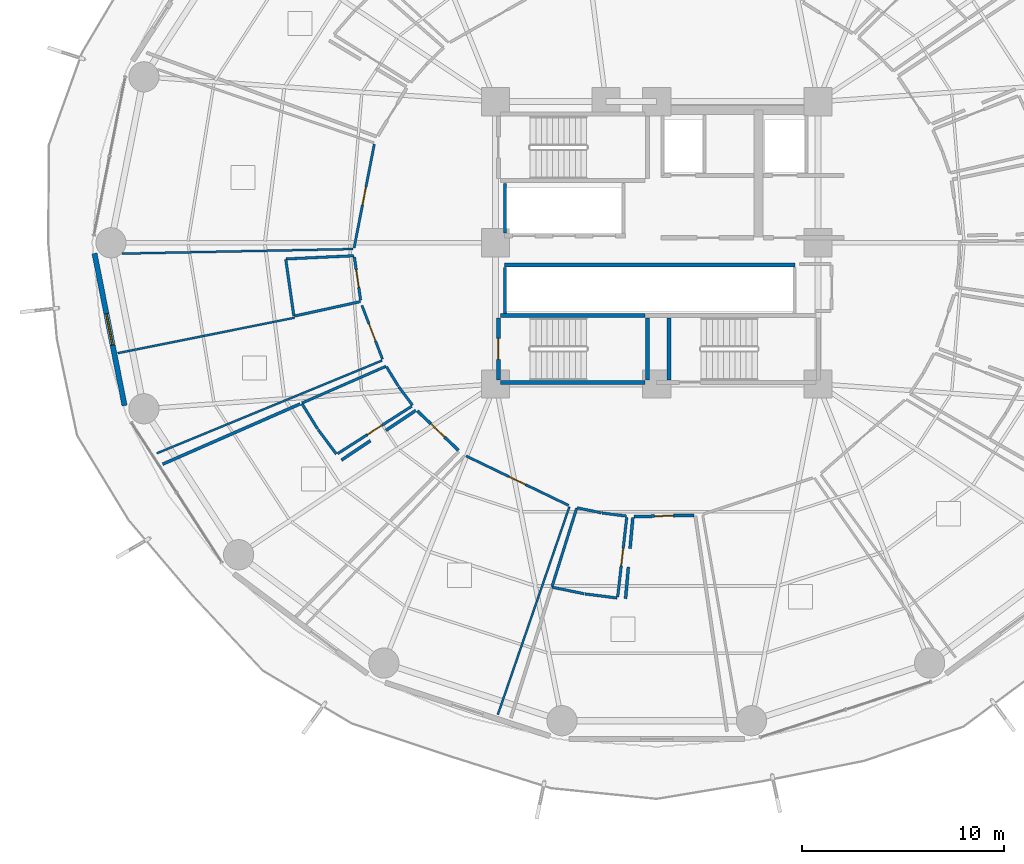
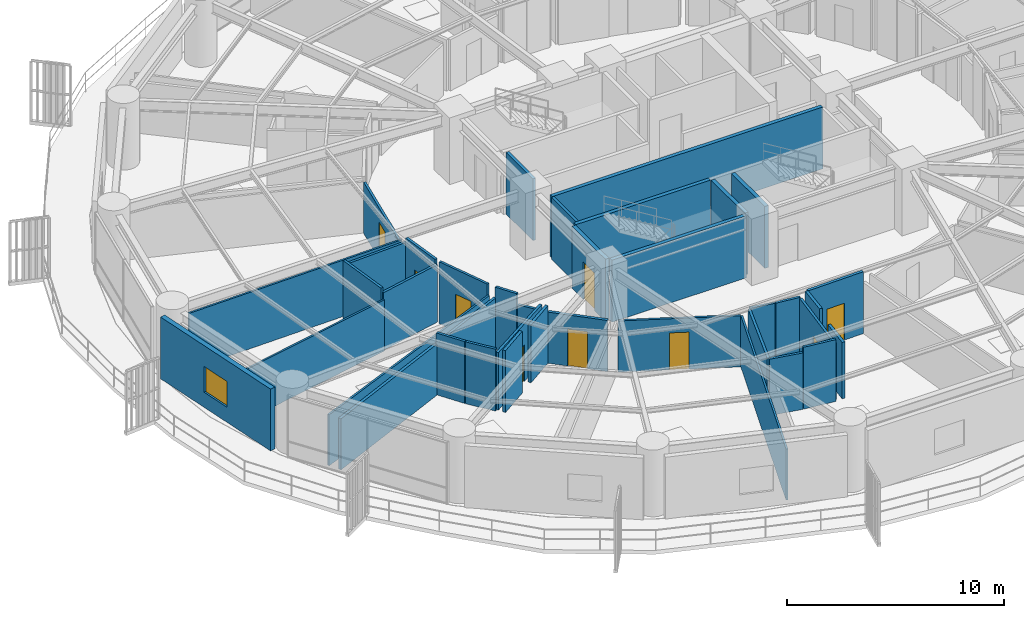
# One storey, part 23 of 33: 39 walls, 9 doors, 1 window, 10 openings.
"""IFC4 building model written with IfcOpenShell, lengths in metres."""

from ifc_helpers import new_model, si_unit, direction, frame, frame_2d, origin, place, context, subcontext, project, spatial, rectangle, extrude, material, layer, layer_set, type_object, element, fill, save


model = new_model("IFC4")

# Units and contexts
model_context = context("Model", 3, precision=1e-05, world=origin(), true_north=direction((0.0, 1.0)))
body_context = subcontext(model_context, "Body", "Model", "MODEL_VIEW")
ifc_project = project(units=[si_unit("LENGTHUNIT", "METRE"), si_unit("AREAUNIT", "SQUARE_METRE"), si_unit("VOLUMEUNIT", "CUBIC_METRE"), si_unit("PLANEANGLEUNIT", "RADIAN"), si_unit("MASSUNIT", "GRAM", prefix="KILO")], contexts=[model_context])

# Site, building, storey
site_placement = place(None, origin())
site = spatial("IfcSite", under=ifc_project, at=site_placement, CompositionType="ELEMENT")
building_placement = place(site_placement, origin())
building = spatial("IfcBuilding", under=site, at=building_placement, Name="Kelanora Arch Commons", CompositionType="ELEMENT")
storey_placement = place(building_placement, frame((0.0, 0.0, 41.25)))
storey = spatial("IfcBuildingStorey", under=building, at=storey_placement, Name="L10", CompositionType="ELEMENT", Elevation=41.25)

# Walls
ifc_material_1 = material(Name="Autoclaved aerated concrete blockwork with fire plaster", Category="masonry")
ifc_layer_1 = layer(ifc_material_1, 0.14990234375)
ifc_layer_set_1 = layer_set([ifc_layer_1], Name="Autoclaved aerated concrete blockwork with fire plaster")
wall_type_1 = type_object("IfcWallType", Name="W-COMP-150", PredefinedType="PARTITIONING", material=ifc_layer_set_1)
wall_1_placement = place(storey_placement, frame((66.4599609375, 58.47998046875, 0.0), z_axis=(0.0, 0.0, 1.0), x_axis=(0.0, 1.0, 0.0)))
element("IfcWall", 1, at=wall_1_placement, inside=storey, type_object=wall_type_1, Name="Low-Rise Lift Bank West Wall L10", PredefinedType="PARTITIONING", context=body_context, shape_type="SweptSolid", body=[
    extrude(rectangle(XDim=2.4599609375, YDim=0.14990234375, at=frame_2d((1.22998046875, 0.0))), origin(), (0.0, 0.0, 1.0), 3.47998046875),
])
wall_2_placement = place(storey_placement, frame((66.4599609375, 54.47998046875, 0.0), z_axis=(0.0, 0.0, 1.0), x_axis=(0.0, 1.0, 0.0)))
element("IfcWall", 2, at=wall_2_placement, inside=storey, type_object=wall_type_1, Name="South Lift Bank West Wall L10", PredefinedType="PARTITIONING", context=body_context, shape_type="SweptSolid", body=[
    extrude(rectangle(XDim=2.2900390625, YDim=0.14990234375, at=frame_2d((1.14501953125, 0.0))), origin(), (0.0, 0.0, 1.0), 3.47998046875),
])

# Wall, opening, door
wall_3_placement = place(storey_placement, frame((62.118408203125, 49.66259765625, 0.0), z_axis=(0.0, 0.0, 1.0), x_axis=(0.721698326825, -0.692207718144, 0.0)))
wall_3 = element("IfcWall", 3, at=wall_3_placement, inside=storey, type_object=wall_type_1, Name="Co-Living Studio L10-09 Entry Partition", PredefinedType="PARTITIONING", context=body_context, shape_type="SweptSolid", body=[
    extrude(rectangle(XDim=2.822998046875, YDim=0.14990234375, at=frame_2d((1.41162109375, 0.0))), origin(), (0.0, 0.0, 1.0), 2.875),
])
opening_1_placement = place(wall_3_placement, frame((0.93603515625, 0.0, 0.0)))
opening_1 = element("IfcOpeningElement", 4, at=opening_1_placement, cuts=wall_3, Name="Opening D-CLU1", PredefinedType="OPENING", context=body_context, shape_type="SweptSolid", body=[
    extrude(rectangle(XDim=0.949951171875, YDim=2.080078125, at=frame_2d((0.47509765625, 1.0400390625))), frame((0.0, 0.0849609375, 0.0), z_axis=(0.0, -1.0, 0.0), x_axis=(1.0, 0.0, 0.0)), (0.0, 0.0, 1.0), 0.169921875),
])
ifc_material_2 = material(Name="Solid-core acoustic timber cluster entry fire door", Category="wood")
door_type_1 = type_object("IfcDoorType", Name="D-CLU-95", OperationType="NOTDEFINED", PredefinedType="DOOR", material=ifc_material_2)
door_1_placement = place(opening_1_placement, origin())
door_1 = element("IfcDoor", 5, at=door_1_placement, inside=storey, type_object=door_type_1, Name="Co-Living Studio L10-09 Door", OperationType="SINGLE_SWING_LEFT", OverallHeight=2.080078125, OverallWidth=0.949951171875, PredefinedType="DOOR", context=body_context, shape_type="SweptSolid", body=[
    extrude(rectangle(XDim=0.949951171875, YDim=2.080078125, at=frame_2d((0.47509765625, 1.0400390625))), frame((0.0, 0.02490234375, 0.0), z_axis=(0.0, -1.0, 0.0), x_axis=(1.0, 0.0, 0.0)), (0.0, 0.0, 1.0), 0.050048828125),
])
fill(opening_1, door_1)

wall_4_placement = place(storey_placement, frame((72.87890625, 44.413330078125, 0.0), z_axis=(0.0, 0.0, 1.0), x_axis=(0.999757617916, 0.022016026426, 0.0)))
wall_4 = element("IfcWall", 6, at=wall_4_placement, inside=storey, type_object=wall_type_1, Name="Co-Living Studio L10-11 Entry Partition", PredefinedType="PARTITIONING", context=body_context, shape_type="SweptSolid", body=[
    extrude(rectangle(XDim=2.971923828125, YDim=0.14990234375, at=frame_2d((1.48583984375, 0.0))), origin(), (0.0, 0.0, 1.0), 3.47998046875),
])
opening_2_placement = place(wall_4_placement, frame((1.010986328125, 0.0, 0.0)))
opening_2 = element("IfcOpeningElement", 7, at=opening_2_placement, cuts=wall_4, Name="Opening D-CLU1", PredefinedType="OPENING", context=body_context, shape_type="SweptSolid", body=[
    extrude(rectangle(XDim=0.949951171875, YDim=2.080078125, at=frame_2d((0.47509765625, 1.0400390625))), frame((0.0, 0.0849609375, 0.0), z_axis=(0.0, -1.0, 0.0), x_axis=(1.0, 0.0, 0.0)), (0.0, 0.0, 1.0), 0.169921875),
])
door_2_placement = place(opening_2_placement, origin())
door_2 = element("IfcDoor", 8, at=door_2_placement, inside=storey, type_object=door_type_1, Name="Co-Living Studio L10-11 Door", OperationType="SINGLE_SWING_RIGHT", OverallHeight=2.080078125, OverallWidth=0.949951171875, PredefinedType="DOOR", context=body_context, shape_type="SweptSolid", body=[
    extrude(rectangle(XDim=0.949951171875, YDim=2.080078125, at=frame_2d((0.47509765625, 1.0400390625))), frame((0.0, 0.02490234375, 0.0), z_axis=(0.0, -1.0, 0.0), x_axis=(1.0, 0.0, 0.0)), (0.0, 0.0, 1.0), 0.050048828125),
])
fill(opening_2, door_2)

# Walls
wall_5_placement = place(storey_placement, frame((49.486572265625, 47.01708984375, 0.0), z_axis=(0.0, 0.0, 1.0), x_axis=(0.915920983282, 0.401358633124, 0.0)))
element("IfcWall", 9, at=wall_5_placement, inside=storey, type_object=wall_type_1, Name="Co-Living Studio L10-09 Enclosure Partition 5", PredefinedType="PARTITIONING", context=body_context, shape_type="SweptSolid", body=[
    extrude(rectangle(XDim=7.448974609375, YDim=0.14990234375, at=frame_2d((3.724609375, 0.0))), origin(), (0.0, 0.0, 1.0), 2.875),
])
wall_6_placement = place(storey_placement, frame((58.354248046875, 47.21630859375, 0.0), z_axis=(0.0, 0.0, 1.0), x_axis=(0.831292382958, 0.555835383937, 0.0)))
element("IfcWall", 10, at=wall_6_placement, inside=storey, type_object=wall_type_1, Name="Co-Living Studio L10-09 Enclosure Partition 7", PredefinedType="PARTITIONING", context=body_context, shape_type="SweptSolid", body=[
    extrude(rectangle(XDim=1.736328125, YDim=0.14990234375, at=frame_2d((0.8681640625, 0.0))), origin(), (0.0, 0.0, 1.0), 3.47998046875),
])
wall_7_placement = place(storey_placement, frame((60.562744140625, 48.69287109375, 0.0), z_axis=(0.0, 0.0, 1.0), x_axis=(0.831268380724, 0.555871279352, 0.0)))
element("IfcWall", 11, at=wall_7_placement, inside=storey, type_object=wall_type_1, Name="Co-Living Studio L10-09 Enclosure Partition 7", PredefinedType="PARTITIONING", context=body_context, shape_type="SweptSolid", body=[
    extrude(rectangle(XDim=1.779296875, YDim=0.14990234375, at=frame_2d((0.8896484375, 0.0))), origin(), (0.0, 0.0, 1.0), 3.235107421875),
])
wall_8_placement = place(storey_placement, frame((72.45166015625, 40.341796875, 0.0), z_axis=(0.0, 0.0, 1.0), x_axis=(0.089821137984, 0.995957912349, 0.0)))
element("IfcWall", 12, at=wall_8_placement, inside=storey, type_object=wall_type_1, Name="Co-Living Studio L10-11 Enclosure Partition 7", PredefinedType="PARTITIONING", context=body_context, shape_type="SweptSolid", body=[
    extrude(rectangle(XDim=1.571044921875, YDim=0.14990234375, at=frame_2d((0.78564453125, 0.0))), origin(), (0.0, 0.0, 1.0), 3.175048828125),
])
wall_9_placement = place(storey_placement, frame((72.675537109375, 42.822998046875, 0.0), z_axis=(0.0, 0.0, 1.0), x_axis=(0.089927260711, 0.9959483359, 0.0)))
element("IfcWall", 13, at=wall_9_placement, inside=storey, type_object=wall_type_1, Name="Co-Living Studio L10-11 Enclosure Partition 7", PredefinedType="PARTITIONING", context=body_context, shape_type="SweptSolid", body=[
    extrude(rectangle(XDim=1.5556640625, YDim=0.14990234375, at=frame_2d((0.77783203125, 0.0))), origin(), (0.0, 0.0, 1.0), 3.47998046875),
])

# Wall, opening, window
ifc_material_3 = material(Name="Precast concrete C40/50 with terracotta rainscreen", Category="masonry")
ifc_layer_2 = layer(ifc_material_3, 0.260009765625)
ifc_layer_set_2 = layer_set([ifc_layer_2], Name="Precast concrete C40/50 with terracotta rainscreen")
wall_type_2 = type_object("IfcWallType", Name="W-EXT-TC", PredefinedType="SOLIDWALL", material=ifc_layer_set_2)
wall_10_placement = place(storey_placement, frame((46.103515625, 57.4765625, 0.0), z_axis=(0.0, 0.0, 1.0), x_axis=(0.193726159581, -0.98105564322, 0.0)))
wall_10 = element("IfcWall", 14, at=wall_10_placement, inside=storey, type_object=wall_type_2, Name="Terracotta Exterior Wall L10-B09", PredefinedType="SOLIDWALL", context=body_context, shape_type="SweptSolid", body=[
    extrude(rectangle(XDim=7.70263671875, YDim=0.260009765625, at=frame_2d((3.851318359375, 0.0))), origin(), (0.0, 0.0, 1.0), 3.47509765625),
])
opening_3_placement = place(wall_10_placement, frame((3.051025390625, 0.0, 0.85009765625)))
opening_3 = element("IfcOpeningElement", 15, at=opening_3_placement, cuts=wall_10, Name="Opening WN-01", PredefinedType="OPENING", context=body_context, shape_type="SweptSolid", body=[
    extrude(rectangle(XDim=1.60009765625, YDim=1.449951171875, at=frame_2d((0.800048828125, 0.72509765625))), frame((0.0, 0.14013671875, 0.0), z_axis=(0.0, -1.0, 0.0), x_axis=(1.0, 0.0, 0.0)), (0.0, 0.0, 1.0), 0.280029296875),
])
ifc_material_4 = material(Name="Terracotta-anodised aluminium frame with operable low-E glazing", Category="masonry")
window_type = type_object("IfcWindowType", Name="WIN-CL-18", PartitioningType="DOUBLE_PANEL_VERTICAL", PredefinedType="WINDOW", material=ifc_material_4)
window_placement = place(opening_3_placement, origin())
window = element("IfcWindow", 16, at=window_placement, inside=storey, type_object=window_type, Name="Co-Living Operable Window L10-B09", OverallHeight=1.449951171875, OverallWidth=1.60009765625, PartitioningType="SINGLE_PANEL", PredefinedType="WINDOW", context=body_context, shape_type="SweptSolid", body=[
    extrude(rectangle(XDim=1.60009765625, YDim=1.449951171875, at=frame_2d((0.800048828125, 0.72509765625))), frame((0.0, 0.030029296875, 0.0), z_axis=(0.0, -1.0, 0.0), x_axis=(1.0, 0.0, 0.0)), (0.0, 0.0, 1.0), 0.06005859375),
])
fill(opening_3, window)

# Walls
ifc_material_5 = material(Name="Concrete C40/50", Category="concrete")
ifc_layer_3 = layer(ifc_material_5, 0.199951171875)
ifc_layer_set_3 = layer_set([ifc_layer_3], Name="Concrete C40/50")
wall_type_3 = type_object("IfcWallType", Name="W-FFL-200", PredefinedType="SOLIDWALL", material=ifc_layer_set_3)
wall_11_placement = place(storey_placement, frame((66.449951171875, 56.89990234375, 0.0), z_axis=(0.0, 0.0, 1.0), x_axis=(1.0, 0.0, 0.0)))
element("IfcWall", 17, at=wall_11_placement, inside=storey, type_object=wall_type_3, Name="Mid/High/Express Lift Shaft Front L10", PredefinedType="SOLIDWALL", context=body_context, shape_type="SweptSolid", body=[
    extrude(rectangle(XDim=14.400146484375, YDim=0.199951171875, at=frame_2d((7.2001953125, 0.0))), origin(), (0.0, 0.0, 1.0), 3.47998046875),
])
ifc_material_6 = material(Name="Lightweight fire-rated acoustic stud partition")
ifc_layer_4 = layer(ifc_material_6, 0.10009765625)
ifc_layer_set_4 = layer_set([ifc_layer_4], Name="Lightweight fire-rated acoustic stud partition")
wall_type_4 = type_object("IfcWallType", Name="W-PART-100", PredefinedType="PARTITIONING", material=ifc_layer_set_4)
wall_12_placement = place(storey_placement, frame((58.93408203125, 57.690185546875, 0.0), z_axis=(0.0, 0.0, 1.0), x_axis=(-0.999804870307, -0.019754020094, 0.0)))
element("IfcWall", 18, at=wall_12_placement, inside=storey, type_object=wall_type_4, Name="Quiet Seminar Study Room L10-07 Enclosure Partition 2", PredefinedType="PARTITIONING", context=body_context, shape_type="SweptSolid", body=[
    extrude(rectangle(XDim=11.456787109375, YDim=0.10009765625, at=frame_2d((5.728515625, 0.0))), origin(), (0.0, 0.0, 1.0), 3.175048828125),
])
wall_13_placement = place(storey_placement, frame((60.375, 52.159912109375, 0.0), z_axis=(0.0, 0.0, 1.0), x_axis=(-0.924608681042, -0.380918346817, 0.0)))
element("IfcWall", 19, at=wall_13_placement, inside=storey, type_object=wall_type_4, Name="Tutorial Study Alcove L10-08 Enclosure Partition 2", PredefinedType="PARTITIONING", context=body_context, shape_type="SweptSolid", body=[
    extrude(rectangle(XDim=12.09375, YDim=0.10009765625, at=frame_2d((6.046875, 0.0))), origin(), (0.0, 0.0, 1.0), 2.875),
])
wall_14_placement = place(storey_placement, frame((47.257080078125, 52.52490234375, 0.0), z_axis=(0.0, 0.0, 1.0), x_axis=(0.980535537362, 0.196341691878, 0.0)))
element("IfcWall", 20, at=wall_14_placement, inside=storey, type_object=wall_type_4, Name="Tutorial Study Alcove L10-08 Enclosure Partition 4", PredefinedType="PARTITIONING", context=body_context, shape_type="SweptSolid", body=[
    extrude(rectangle(XDim=8.950439453125, YDim=0.10009765625, at=frame_2d((4.47509765625, 0.0))), origin(), (0.0, 0.0, 1.0), 2.875),
])
wall_15_placement = place(storey_placement, frame((69.66796875, 44.9072265625, 0.0), z_axis=(0.0, 0.0, 1.0), x_axis=(-0.325549997896, -0.94552482721, 0.0)))
element("IfcWall", 21, at=wall_15_placement, inside=storey, type_object=wall_type_4, Name="Social Sky Lounge L10-10 Enclosure Partition 2", PredefinedType="PARTITIONING", context=body_context, shape_type="SweptSolid", body=[
    extrude(rectangle(XDim=10.910888671875, YDim=0.10009765625, at=frame_2d((5.45556640625, 0.0))), origin(), (0.0, 0.0, 1.0), 2.875),
])

# Wall, opening, door
ifc_material_7 = material(Name="Acoustic twin-stud fire-rated gypsum partition")
ifc_layer_5 = layer(ifc_material_7, 0.1201171875)
ifc_layer_set_5 = layer_set([ifc_layer_5], Name="Acoustic twin-stud fire-rated gypsum partition")
wall_type_5 = type_object("IfcWallType", Name="W-PART-120", PredefinedType="PARTITIONING", material=ifc_layer_set_5)
wall_16_placement = place(storey_placement, frame((59.985595703125, 62.89208984375, 0.0), z_axis=(0.0, 0.0, 1.0), x_axis=(-0.190897102704, -0.981610053015, 0.0)))
wall_16 = element("IfcWall", 22, at=wall_16_placement, inside=storey, type_object=wall_type_5, Name="Quiet Seminar Study Room L10-07 Entry Partition", PredefinedType="PARTITIONING", context=body_context, shape_type="SweptSolid", body=[
    extrude(rectangle(XDim=5.238525390625, YDim=0.1201171875, at=frame_2d((2.619140625, 0.0))), origin(), (0.0, 0.0, 1.0), 2.875),
])
opening_4_placement = place(wall_16_placement, frame((2.1689453125, 0.0, 0.0)))
opening_4 = element("IfcOpeningElement", 23, at=opening_4_placement, cuts=wall_16, Name="Opening D-RM1", PredefinedType="OPENING", context=body_context, shape_type="SweptSolid", body=[
    extrude(rectangle(XDim=0.89990234375, YDim=2.080078125, at=frame_2d((0.449951171875, 1.0400390625))), frame((0.0, 0.070068359375, 0.0), z_axis=(0.0, -1.0, 0.0), x_axis=(1.0, 0.0, 0.0)), (0.0, 0.0, 1.0), 0.14013671875),
])
ifc_material_8 = material(Name="Acoustic fire-rated timber study and lounge door", Category="wood")
door_type_2 = type_object("IfcDoorType", Name="D-ROOM-90", OperationType="NOTDEFINED", PredefinedType="DOOR", material=ifc_material_8)
door_3_placement = place(opening_4_placement, origin())
door_3 = element("IfcDoor", 24, at=door_3_placement, inside=storey, type_object=door_type_2, Name="Quiet Seminar Study Room L10-07 Door", OperationType="SINGLE_SWING_LEFT", OverallHeight=2.080078125, OverallWidth=0.89990234375, PredefinedType="DOOR", context=body_context, shape_type="SweptSolid", body=[
    extrude(rectangle(XDim=0.89990234375, YDim=2.080078125, at=frame_2d((0.449951171875, 1.0400390625))), frame((0.0, 0.02490234375, 0.0), z_axis=(0.0, -1.0, 0.0), x_axis=(1.0, 0.0, 0.0)), (0.0, 0.0, 1.0), 0.050048828125),
])
fill(opening_4, door_3)

wall_17_placement = place(storey_placement, frame((59.373291015625, 54.89111328125, 0.0), z_axis=(0.0, 0.0, 1.0), x_axis=(0.357203455119, -0.934026601147, 0.0)))
wall_17 = element("IfcWall", 25, at=wall_17_placement, inside=storey, type_object=wall_type_5, Name="Tutorial Study Alcove L10-08 Entry Partition", PredefinedType="PARTITIONING", context=body_context, shape_type="SweptSolid", body=[
    extrude(rectangle(XDim=2.84814453125, YDim=0.1201171875, at=frame_2d((1.424072265625, 0.0))), origin(), (0.0, 0.0, 1.0), 3.47998046875),
])
opening_5_placement = place(wall_17_placement, frame((0.97412109375, 0.0, 0.0)))
opening_5 = element("IfcOpeningElement", 26, at=opening_5_placement, cuts=wall_17, Name="Opening D-RM1", PredefinedType="OPENING", context=body_context, shape_type="SweptSolid", body=[
    extrude(rectangle(XDim=0.89990234375, YDim=2.080078125, at=frame_2d((0.449951171875, 1.0400390625))), frame((0.0, 0.070068359375, 0.0), z_axis=(0.0, -1.0, 0.0), x_axis=(1.0, 0.0, 0.0)), (0.0, 0.0, 1.0), 0.14013671875),
])
door_4_placement = place(opening_5_placement, origin())
door_4 = element("IfcDoor", 27, at=door_4_placement, inside=storey, type_object=door_type_2, Name="Tutorial Study Alcove L10-08 Door", OperationType="SINGLE_SWING_LEFT", OverallHeight=2.080078125, OverallWidth=0.89990234375, PredefinedType="DOOR", context=body_context, shape_type="SweptSolid", body=[
    extrude(rectangle(XDim=0.89990234375, YDim=2.080078125, at=frame_2d((0.449951171875, 1.0400390625))), frame((0.0, 0.02490234375, 0.0), z_axis=(0.0, -1.0, 0.0), x_axis=(1.0, 0.0, 0.0)), (0.0, 0.0, 1.0), 0.050048828125),
])
fill(opening_5, door_4)

wall_18_placement = place(storey_placement, frame((64.533935546875, 47.427001953125, 0.0), z_axis=(0.0, 0.0, 1.0), x_axis=(0.900751487373, -0.434334845477, 0.0)))
wall_18 = element("IfcWall", 28, at=wall_18_placement, inside=storey, type_object=wall_type_5, Name="Social Sky Lounge L10-10 Entry Partition", PredefinedType="PARTITIONING", context=body_context, shape_type="SweptSolid", body=[
    extrude(rectangle(XDim=5.654296875, YDim=0.1201171875, at=frame_2d((2.8271484375, 0.0))), origin(), (0.0, 0.0, 1.0), 2.875),
])
opening_6_placement = place(wall_18_placement, frame((2.376953125, 0.0, 0.0)))
opening_6 = element("IfcOpeningElement", 29, at=opening_6_placement, cuts=wall_18, Name="Opening D-RM1", PredefinedType="OPENING", context=body_context, shape_type="SweptSolid", body=[
    extrude(rectangle(XDim=0.89990234375, YDim=2.080078125, at=frame_2d((0.449951171875, 1.0400390625))), frame((0.0, 0.070068359375, 0.0), z_axis=(0.0, -1.0, 0.0), x_axis=(1.0, 0.0, 0.0)), (0.0, 0.0, 1.0), 0.14013671875),
])
door_5_placement = place(opening_6_placement, origin())
door_5 = element("IfcDoor", 30, at=door_5_placement, inside=storey, type_object=door_type_2, Name="Social Sky Lounge L10-10 Door", OperationType="SINGLE_SWING_RIGHT", OverallHeight=2.080078125, OverallWidth=0.89990234375, PredefinedType="DOOR", context=body_context, shape_type="SweptSolid", body=[
    extrude(rectangle(XDim=0.89990234375, YDim=2.080078125, at=frame_2d((0.449951171875, 1.0400390625))), frame((0.0, 0.02490234375, 0.0), z_axis=(0.0, -1.0, 0.0), x_axis=(1.0, 0.0, 0.0)), (0.0, 0.0, 1.0), 0.050048828125),
])
fill(opening_6, door_5)

# Walls
ifc_layer_6 = layer(ifc_material_5, 0.199951171875)
ifc_layer_set_6 = layer_set([ifc_layer_6], Name="Concrete C40/50")
wall_type_6 = type_object("IfcWallType", Name="W-STAIR-200", PredefinedType="SHEAR", material=ifc_layer_set_6)
wall_19_placement = place(storey_placement, frame((74.6201171875, 54.27001953125, 0.0), z_axis=(0.0, 0.0, 1.0), x_axis=(0.0, -1.0, 0.0)))
element("IfcWall", 31, at=wall_19_placement, inside=storey, type_object=wall_type_6, Name="Stair ST-T2 Shaft Wall W L10", PredefinedType="SHEAR", context=body_context, shape_type="SweptSolid", body=[
    extrude(rectangle(XDim=3.070068359375, YDim=0.199951171875, at=frame_2d((1.53515625, 0.0))), origin(), (0.0, 0.0, 1.0), 3.489990234375),
])
wall_20_placement = place(storey_placement, frame((66.260009765625, 51.080078125, 0.0), z_axis=(0.0, 0.0, 1.0), x_axis=(1.0, 0.0, 0.0)))
element("IfcWall", 32, at=wall_20_placement, inside=storey, type_object=wall_type_6, Name="Stair ST-T3 Shaft Wall S L10", PredefinedType="SHEAR", context=body_context, shape_type="SweptSolid", body=[
    extrude(rectangle(XDim=7.159912109375, YDim=0.199951171875, at=frame_2d((3.580078125, 0.0))), origin(), (0.0, 0.0, 1.0), 3.489990234375),
])
wall_21_placement = place(storey_placement, frame((73.5400390625, 51.199951171875, 0.0), z_axis=(0.0, 0.0, 1.0), x_axis=(0.0, 1.0, 0.0)))
element("IfcWall", 33, at=wall_21_placement, inside=storey, type_object=wall_type_6, Name="Stair ST-T3 Shaft Wall E L10", PredefinedType="SHEAR", context=body_context, shape_type="SweptSolid", body=[
    extrude(rectangle(XDim=3.070068359375, YDim=0.199951171875, at=frame_2d((1.53515625, 0.0))), origin(), (0.0, 0.0, 1.0), 3.489990234375),
])
wall_22_placement = place(storey_placement, frame((73.419921875, 54.389892578125, 0.0), z_axis=(0.0, 0.0, 1.0), x_axis=(-1.0, 0.0, 0.0)))
element("IfcWall", 34, at=wall_22_placement, inside=storey, type_object=wall_type_6, Name="Stair ST-T3 Shaft Wall N L10", PredefinedType="SHEAR", context=body_context, shape_type="SweptSolid", body=[
    extrude(rectangle(XDim=7.159912109375, YDim=0.199951171875, at=frame_2d((3.580078125, 0.0))), origin(), (0.0, 0.0, 1.0), 3.489990234375),
])

# Wall, opening, door
wall_23_placement = place(storey_placement, frame((66.139892578125, 54.27001953125, 0.0), z_axis=(0.0, 0.0, 1.0), x_axis=(0.0, -1.0, 0.0)))
wall_23 = element("IfcWall", 35, at=wall_23_placement, inside=storey, type_object=wall_type_6, Name="Stair ST-T3 Shaft Wall W L10", PredefinedType="SHEAR", context=body_context, shape_type="SweptSolid", body=[
    extrude(rectangle(XDim=3.070068359375, YDim=0.199951171875, at=frame_2d((1.53515625, 0.0))), origin(), (0.0, 0.0, 1.0), 3.489990234375),
])
opening_7_placement = place(wall_23_placement, frame((1.010009765625, 0.0, 0.0)))
opening_7 = element("IfcOpeningElement", 36, at=opening_7_placement, cuts=wall_23, Name="Opening D-ST1", PredefinedType="OPENING", context=body_context, shape_type="SweptSolid", body=[
    extrude(rectangle(XDim=1.050048828125, YDim=2.10009765625, at=frame_2d((0.52490234375, 1.050048828125))), frame((0.0, 0.10986328125, 0.0), z_axis=(0.0, -1.0, 0.0), x_axis=(1.0, 0.0, 0.0)), (0.0, 0.0, 1.0), 0.219970703125),
])
ifc_material_9 = material(Name="Steel fire-rated stairwell escape door", Category="steel")
door_type_3 = type_object("IfcDoorType", Name="D-STAIR-110", OperationType="NOTDEFINED", PredefinedType="DOOR", material=ifc_material_9)
door_6_placement = place(opening_7_placement, origin())
door_6 = element("IfcDoor", 37, at=door_6_placement, inside=storey, type_object=door_type_3, Name="Stair ST-T3 Escape Door L10", OperationType="SINGLE_SWING_LEFT", OverallHeight=2.10009765625, OverallWidth=1.050048828125, PredefinedType="DOOR", context=body_context, shape_type="SweptSolid", body=[
    extrude(rectangle(XDim=1.050048828125, YDim=2.10009765625, at=frame_2d((0.52490234375, 1.050048828125))), frame((0.0, 0.02490234375, 0.0), z_axis=(0.0, -1.0, 0.0), x_axis=(1.0, 0.0, 0.0)), (0.0, 0.0, 1.0), 0.050048828125),
])
fill(opening_7, door_6)

ifc_material_10 = material(Name="Moisture-resistant fire-rated cement-board plumbing wall")
ifc_layer_7 = layer(ifc_material_10, 0.1298828125)
ifc_layer_set_7 = layer_set([ifc_layer_7], Name="Moisture-resistant fire-rated cement-board plumbing wall")
wall_type_7 = type_object("IfcWallType", Name="W-WET-120", PredefinedType="PLUMBINGWALL", material=ifc_layer_set_7)
wall_24_placement = place(storey_placement, frame((58.99560546875, 57.298583984375, 0.0), z_axis=(0.0, 0.0, 1.0), x_axis=(0.143746038715, -0.989614610014, 0.0)))
wall_24 = element("IfcWall", 38, at=wall_24_placement, inside=storey, type_object=wall_type_7, Name="Accessible Shared Floor WC L10-08 Entry Partition", PredefinedType="PLUMBINGWALL", context=body_context, shape_type="SweptSolid", body=[
    extrude(rectangle(XDim=2.17578125, YDim=0.1298828125, at=frame_2d((1.087890625, 0.0))), origin(), (0.0, 0.0, 1.0), 3.47998046875),
])
opening_8_placement = place(wall_24_placement, frame((0.657958984375, 0.0, 0.0)))
opening_8 = element("IfcOpeningElement", 39, at=opening_8_placement, cuts=wall_24, Name="Opening D-BT1", PredefinedType="OPENING", context=body_context, shape_type="SweptSolid", body=[
    extrude(rectangle(XDim=0.860107421875, YDim=2.050048828125, at=frame_2d((0.43017578125, 1.02490234375))), frame((0.0, 0.074951171875, 0.0), z_axis=(0.0, -1.0, 0.0), x_axis=(1.0, 0.0, 0.0)), (0.0, 0.0, 1.0), 0.14990234375),
])
ifc_material_11 = material(Name="Moisture-sealed fire-rated accessible bathroom door")
door_type_4 = type_object("IfcDoorType", Name="D-BATH-85", OperationType="NOTDEFINED", PredefinedType="DOOR", material=ifc_material_11)
door_7_placement = place(opening_8_placement, origin())
door_7 = element("IfcDoor", 40, at=door_7_placement, inside=storey, type_object=door_type_4, Name="Accessible Shared Floor WC L10-08 Door", OperationType="SINGLE_SWING_RIGHT", OverallHeight=2.050048828125, OverallWidth=0.860107421875, PredefinedType="DOOR", context=body_context, shape_type="SweptSolid", body=[
    extrude(rectangle(XDim=0.860107421875, YDim=2.050048828125, at=frame_2d((0.43017578125, 1.02490234375))), frame((0.0, 0.02490234375, 0.0), z_axis=(0.0, -1.0, 0.0), x_axis=(1.0, 0.0, 0.0)), (0.0, 0.0, 1.0), 0.050048828125),
])
fill(opening_8, door_7)

wall_25_placement = place(storey_placement, frame((61.843505859375, 49.8896484375, 0.0), z_axis=(0.0, 0.0, 1.0), x_axis=(-0.842235862163, -0.539109221297, 0.0)))
wall_25 = element("IfcWall", 41, at=wall_25_placement, inside=storey, type_object=wall_type_7, Name="En-Suite Shower WC L10-09 Entry Partition", PredefinedType="PLUMBINGWALL", context=body_context, shape_type="SweptSolid", body=[
    extrude(rectangle(XDim=4.366943359375, YDim=0.1298828125, at=frame_2d((2.18359375, 0.0))), origin(), (0.0, 0.0, 1.0), 3.235107421875),
])
opening_9_placement = place(wall_25_placement, frame((1.75390625, 0.0, 0.0)))
opening_9 = element("IfcOpeningElement", 42, at=opening_9_placement, cuts=wall_25, Name="Opening D-BT1", PredefinedType="OPENING", context=body_context, shape_type="SweptSolid", body=[
    extrude(rectangle(XDim=0.860107421875, YDim=2.050048828125, at=frame_2d((0.43017578125, 1.02490234375))), frame((0.0, 0.074951171875, 0.0), z_axis=(0.0, -1.0, 0.0), x_axis=(1.0, 0.0, 0.0)), (0.0, 0.0, 1.0), 0.14990234375),
])
door_8_placement = place(opening_9_placement, origin())
door_8 = element("IfcDoor", 43, at=door_8_placement, inside=storey, type_object=door_type_4, Name="En-Suite Shower WC L10-09 Door", OperationType="SINGLE_SWING_RIGHT", OverallHeight=2.050048828125, OverallWidth=0.860107421875, PredefinedType="DOOR", context=body_context, shape_type="SweptSolid", body=[
    extrude(rectangle(XDim=0.860107421875, YDim=2.050048828125, at=frame_2d((0.43017578125, 1.02490234375))), frame((0.0, 0.02490234375, 0.0), z_axis=(0.0, -1.0, 0.0), x_axis=(1.0, 0.0, 0.0)), (0.0, 0.0, 1.0), 0.050048828125),
])
fill(opening_9, door_8)

wall_26_placement = place(storey_placement, frame((72.51220703125, 44.37646484375, 0.0), z_axis=(0.0, 0.0, 1.0), x_axis=(-0.113232612293, -0.993568505697, 0.0)))
wall_26 = element("IfcWall", 44, at=wall_26_placement, inside=storey, type_object=wall_type_7, Name="En-Suite Shower WC L10-11 Entry Partition", PredefinedType="PLUMBINGWALL", context=body_context, shape_type="SweptSolid", body=[
    extrude(rectangle(XDim=3.969482421875, YDim=0.1298828125, at=frame_2d((1.98486328125, 0.0))), origin(), (0.0, 0.0, 1.0), 3.175048828125),
])
opening_10_placement = place(wall_26_placement, frame((1.554931640625, 0.0, 0.0)))
opening_10 = element("IfcOpeningElement", 45, at=opening_10_placement, cuts=wall_26, Name="Opening D-BT1", PredefinedType="OPENING", context=body_context, shape_type="SweptSolid", body=[
    extrude(rectangle(XDim=0.860107421875, YDim=2.050048828125, at=frame_2d((0.43017578125, 1.02490234375))), frame((0.0, 0.074951171875, 0.0), z_axis=(0.0, -1.0, 0.0), x_axis=(1.0, 0.0, 0.0)), (0.0, 0.0, 1.0), 0.14990234375),
])
door_9_placement = place(opening_10_placement, origin())
door_9 = element("IfcDoor", 46, at=door_9_placement, inside=storey, type_object=door_type_4, Name="En-Suite Shower WC L10-11 Door", OperationType="SINGLE_SWING_LEFT", OverallHeight=2.050048828125, OverallWidth=0.860107421875, PredefinedType="DOOR", context=body_context, shape_type="SweptSolid", body=[
    extrude(rectangle(XDim=0.860107421875, YDim=2.050048828125, at=frame_2d((0.43017578125, 1.02490234375))), frame((0.0, 0.02490234375, 0.0), z_axis=(0.0, -1.0, 0.0), x_axis=(1.0, 0.0, 0.0)), (0.0, 0.0, 1.0), 0.050048828125),
])
fill(opening_10, door_9)

# Walls
wall_27_placement = place(storey_placement, frame((59.297607421875, 55.081787109375, 0.0), z_axis=(0.0, 0.0, 1.0), x_axis=(-0.97686777226, -0.213844231907, 0.0)))
element("IfcWall", 47, at=wall_27_placement, inside=storey, type_object=wall_type_7, Name="Accessible Shared Floor WC L10-08 Enclosure Partition 2", PredefinedType="PLUMBINGWALL", context=body_context, shape_type="SweptSolid", body=[
    extrude(rectangle(XDim=3.35986328125, YDim=0.1298828125, at=frame_2d((1.679931640625, 0.0))), origin(), (0.0, 0.0, 1.0), 3.235107421875),
])
wall_28_placement = place(storey_placement, frame((55.9931640625, 54.37890625, 0.0), z_axis=(0.0, 0.0, 1.0), x_axis=(-0.141590572172, 0.989925305198, 0.0)))
element("IfcWall", 48, at=wall_28_placement, inside=storey, type_object=wall_type_7, Name="Accessible Shared Floor WC L10-08 Enclosure Partition 3", PredefinedType="PLUMBINGWALL", context=body_context, shape_type="SweptSolid", body=[
    extrude(rectangle(XDim=2.827880859375, YDim=0.1298828125, at=frame_2d((1.4140625, 0.0))), origin(), (0.0, 0.0, 1.0), 3.47998046875),
])
wall_29_placement = place(storey_placement, frame((55.610107421875, 57.198974609375, 0.0), z_axis=(0.0, 0.0, 1.0), x_axis=(0.998891356447, 0.04707502538, 0.0)))
element("IfcWall", 49, at=wall_29_placement, inside=storey, type_object=wall_type_7, Name="Accessible Shared Floor WC L10-08 Enclosure Partition 4", PredefinedType="PLUMBINGWALL", context=body_context, shape_type="SweptSolid", body=[
    extrude(rectangle(XDim=3.360595703125, YDim=0.1298828125, at=frame_2d((1.68017578125, 0.0))), origin(), (0.0, 0.0, 1.0), 3.235107421875),
])
wall_30_placement = place(storey_placement, frame((60.58349609375, 51.85888671875, 0.0), z_axis=(0.0, 0.0, 1.0), x_axis=(0.52310141153, -0.852270446077, 0.0)))
element("IfcWall", 50, at=wall_30_placement, inside=storey, type_object=wall_type_7, Name="En-Suite Shower WC L10-09 Enclosure Partition 1", PredefinedType="PLUMBINGWALL", context=body_context, shape_type="SweptSolid", body=[
    extrude(rectangle(XDim=1.135498046875, YDim=0.1298828125, at=frame_2d((0.56787109375, 0.0))), origin(), (0.0, 0.0, 1.0), 3.47998046875),
])
wall_31_placement = place(storey_placement, frame((61.199951171875, 50.85791015625, 0.0), z_axis=(0.0, 0.0, 1.0), x_axis=(0.595625136946, -0.803262532574, 0.0)))
element("IfcWall", 51, at=wall_31_placement, inside=storey, type_object=wall_type_7, Name="En-Suite Shower WC L10-09 Enclosure Partition 2", PredefinedType="PLUMBINGWALL", context=body_context, shape_type="SweptSolid", body=[
    extrude(rectangle(XDim=1.145263671875, YDim=0.1298828125, at=frame_2d((0.57275390625, 0.0))), origin(), (0.0, 0.0, 1.0), 2.875),
])
wall_32_placement = place(storey_placement, frame((58.10302734375, 47.51904296875, 0.0), z_axis=(0.0, 0.0, 1.0), x_axis=(-0.599662382917, 0.800253101533, 0.0)))
element("IfcWall", 52, at=wall_32_placement, inside=storey, type_object=wall_type_7, Name="En-Suite Shower WC L10-09 Enclosure Partition 4", PredefinedType="PLUMBINGWALL", context=body_context, shape_type="SweptSolid", body=[
    extrude(rectangle(XDim=1.50439453125, YDim=0.1298828125, at=frame_2d((0.752197265625, 0.0))), origin(), (0.0, 0.0, 1.0), 3.47998046875),
])
wall_33_placement = place(storey_placement, frame((57.178466796875, 48.756103515625, 0.0), z_axis=(0.0, 0.0, 1.0), x_axis=(-0.526861637299, 0.849951066323, 0.0)))
element("IfcWall", 53, at=wall_33_placement, inside=storey, type_object=wall_type_7, Name="En-Suite Shower WC L10-09 Enclosure Partition 5", PredefinedType="PLUMBINGWALL", context=body_context, shape_type="SweptSolid", body=[
    extrude(rectangle(XDim=1.49169921875, YDim=0.1298828125, at=frame_2d((0.745849609375, 0.0))), origin(), (0.0, 0.0, 1.0), 3.47998046875),
])
wall_34_placement = place(storey_placement, frame((56.400390625, 50.049072265625, 0.0), z_axis=(0.0, 0.0, 1.0), x_axis=(0.91604857307, 0.401067340701, 0.0)))
element("IfcWall", 54, at=wall_34_placement, inside=storey, type_object=wall_type_7, Name="En-Suite Shower WC L10-09 Enclosure Partition 6", PredefinedType="PLUMBINGWALL", context=body_context, shape_type="SweptSolid", body=[
    extrude(rectangle(XDim=4.534912109375, YDim=0.1298828125, at=frame_2d((2.267578125, 0.0))), origin(), (0.0, 0.0, 1.0), 2.875),
])
wall_35_placement = place(storey_placement, frame((70.0537109375, 44.848876953125, 0.0), z_axis=(0.0, 0.0, 1.0), x_axis=(0.979121805859, -0.203274418684, 0.0)))
element("IfcWall", 55, at=wall_35_placement, inside=storey, type_object=wall_type_7, Name="En-Suite Shower WC L10-11 Enclosure Partition 1", PredefinedType="PLUMBINGWALL", context=body_context, shape_type="SweptSolid", body=[
    extrude(rectangle(XDim=1.218994140625, YDim=0.1298828125, at=frame_2d((0.609375, 0.0))), origin(), (0.0, 0.0, 1.0), 3.235107421875),
])
wall_36_placement = place(storey_placement, frame((71.286865234375, 44.594482421875, 0.0), z_axis=(0.0, 0.0, 1.0), x_axis=(0.991848040681, -0.127426308891, 0.0)))
element("IfcWall", 56, at=wall_36_placement, inside=storey, type_object=wall_type_7, Name="En-Suite Shower WC L10-11 Enclosure Partition 2", PredefinedType="PLUMBINGWALL", context=body_context, shape_type="SweptSolid", body=[
    extrude(rectangle(XDim=1.222412109375, YDim=0.1298828125, at=frame_2d((0.611328125, 0.0))), origin(), (0.0, 0.0, 1.0), 3.235107421875),
])
wall_37_placement = place(storey_placement, frame((72.0361328125, 40.37548828125, 0.0), z_axis=(0.0, 0.0, 1.0), x_axis=(-0.991984482756, 0.126359748222, 0.0)))
element("IfcWall", 57, at=wall_37_placement, inside=storey, type_object=wall_type_7, Name="En-Suite Shower WC L10-11 Enclosure Partition 4", PredefinedType="PLUMBINGWALL", context=body_context, shape_type="SweptSolid", body=[
    extrude(rectangle(XDim=1.615234375, YDim=0.1298828125, at=frame_2d((0.8076171875, 0.0))), origin(), (0.0, 0.0, 1.0), 3.47998046875),
])
wall_38_placement = place(storey_placement, frame((70.394287109375, 40.5859375, 0.0), z_axis=(0.0, 0.0, 1.0), x_axis=(-0.979464082354, 0.201618727747, 0.0)))
element("IfcWall", 58, at=wall_38_placement, inside=storey, type_object=wall_type_7, Name="En-Suite Shower WC L10-11 Enclosure Partition 5", PredefinedType="PLUMBINGWALL", context=body_context, shape_type="SweptSolid", body=[
    extrude(rectangle(XDim=1.61181640625, YDim=0.1298828125, at=frame_2d((0.805908203125, 0.0))), origin(), (0.0, 0.0, 1.0), 3.175048828125),
])
wall_39_placement = place(storey_placement, frame((68.802001953125, 40.93408203125, 0.0), z_axis=(0.0, 0.0, 1.0), x_axis=(0.299913557671, 0.953966381968, 0.0)))
element("IfcWall", 59, at=wall_39_placement, inside=storey, type_object=wall_type_7, Name="En-Suite Shower WC L10-11 Enclosure Partition 6", PredefinedType="PLUMBINGWALL", context=body_context, shape_type="SweptSolid", body=[
    extrude(rectangle(XDim=4.088134765625, YDim=0.1298828125, at=frame_2d((2.0439453125, 0.0))), origin(), (0.0, 0.0, 1.0), 3.175048828125),
])

save(model, "model.ifc")
